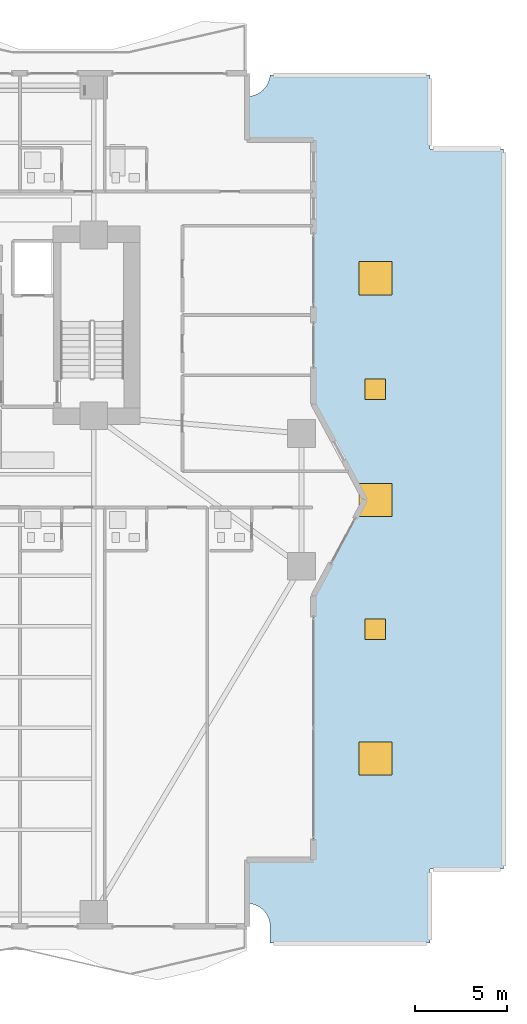
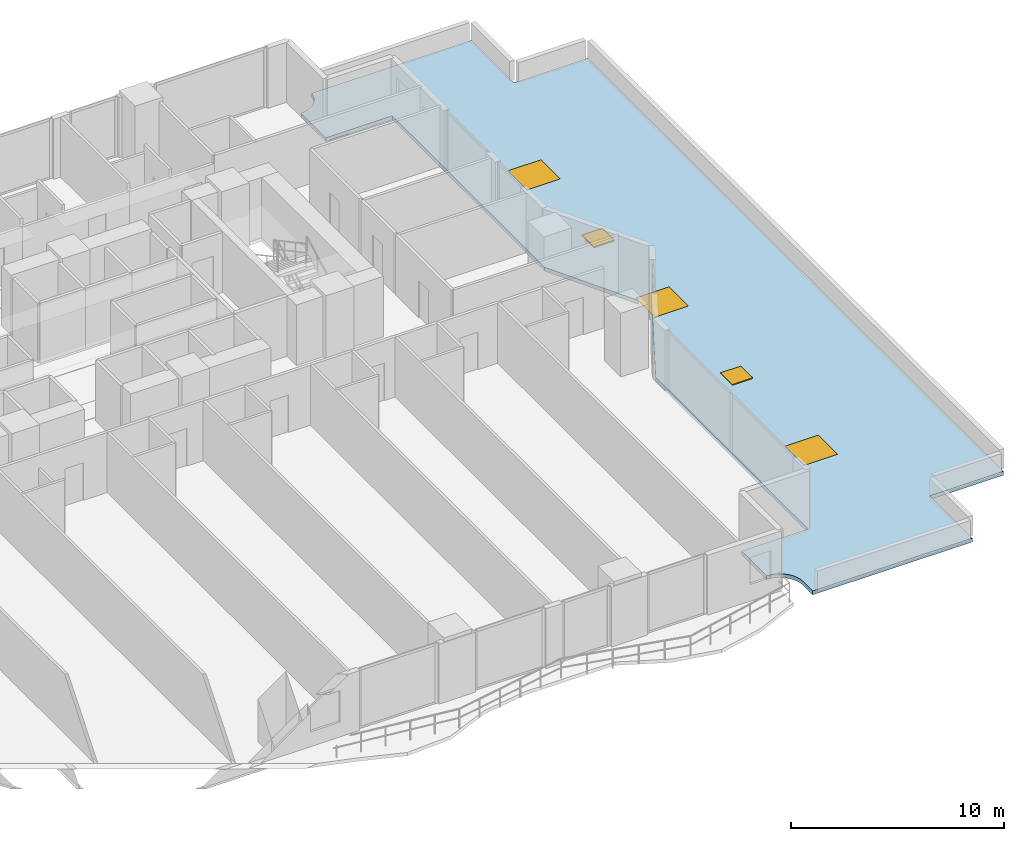
# One storey, part 18 of 30: 3 windows, 2 doors, 1 slab, 5 openings.
"""IFC4 building model written with IfcOpenShell, lengths in metres."""

from ifc_helpers import new_model, si_unit, direction, frame, origin, origin_2d, place, context, subcontext, project, spatial, polyline, rectangle, outline, extrude, material, layer, layer_set, type_object, element, fill, save


model = new_model("IFC4")

# Units and contexts
model_context = context("Model", 3, precision=1e-05, world=origin(), true_north=direction((0.0, 1.0)))
body_context = subcontext(model_context, "Body", "Model", "MODEL_VIEW")
ifc_project = project(units=[si_unit("LENGTHUNIT", "METRE"), si_unit("AREAUNIT", "SQUARE_METRE"), si_unit("VOLUMEUNIT", "CUBIC_METRE"), si_unit("PLANEANGLEUNIT", "RADIAN"), si_unit("MASSUNIT", "GRAM", prefix="KILO")], contexts=[model_context])

# Site, building, storey
site_placement = place(None, origin())
site = spatial("IfcSite", under=ifc_project, at=site_placement, CompositionType="ELEMENT")
building_placement = place(site_placement, origin())
building = spatial("IfcBuilding", under=site, at=building_placement, Name="Zuhayl Quay Hotel", CompositionType="ELEMENT")
storey_placement = place(building_placement, frame((0.0, 0.0, 27.60009765625)))
storey = spatial("IfcBuildingStorey", under=building, at=storey_placement, Name="L05", CompositionType="ELEMENT", Elevation=27.60009765625)

# Slab, openings, doors, windows
ifc_material_1 = material(Name="Concrete C45/55", Category="concrete")
ifc_layer = layer(ifc_material_1, 0.219970703125, Name="Concrete C45/55", Category="concrete")
ifc_layer_set = layer_set([ifc_layer], Name="Concrete C45/55")
slab_type = type_object("IfcSlabType", Name="SL_SETBACK_ROOF_220", PredefinedType="ROOF", material=ifc_layer_set)
slab_placement = place(storey_placement, frame((0.0, 0.0, -0.22021484375)))
slab = element("IfcSlab", 1, at=slab_placement, inside=storey, type_object=slab_type, Name="L05 Setback Wing Roof Slab 2", PredefinedType="ROOF", context=body_context, shape_type="SweptSolid", body=[
    extrude(outline(polyline([(32.0, -20.0), (36.0, -20.0), (36.0, 19.0), (32.0, 19.0), (32.0, 23.0), (23.34521484375, 23.0), (23.343994140625, 22.9775390625), (23.325927734375, 22.856201171875), (23.296142578125, 22.737060546875), (23.2548828125, 22.62158203125), (23.202392578125, 22.5107421875), (23.139404296875, 22.405517578125), (23.06640625, 22.306884765625), (22.98388671875, 22.216064453125), (22.89306640625, 22.1337890625), (22.79443359375, 22.060791015625), (22.689208984375, 21.99755859375), (22.578369140625, 21.9453125), (22.462890625, 21.90380859375), (22.343994140625, 21.8740234375), (22.222412109375, 21.85595703125), (22.10009765625, 21.85009765625), (22.10009765625, 19.5), (25.699951171875, 19.5), (25.699951171875, 5.199951171875), (28.5, 0.0), (25.699951171875, -5.199951171875), (25.699951171875, -19.5), (22.10009765625, -19.5), (22.10009765625, -21.85009765625), (22.222412109375, -21.85595703125), (22.343994140625, -21.8740234375), (22.462890625, -21.90380859375), (22.578369140625, -21.9453125), (22.689208984375, -21.99755859375), (22.79443359375, -22.060791015625), (22.89306640625, -22.1337890625), (22.98388671875, -22.216064453125), (23.06640625, -22.306884765625), (23.139404296875, -22.405517578125), (23.202392578125, -22.5107421875), (23.2548828125, -22.62158203125), (23.296142578125, -22.737060546875), (23.325927734375, -22.856201171875), (23.343994140625, -22.9775390625), (23.35009765625, -23.10009765625), (23.35009765625, -24.0), (32.0, -24.0), (32.0, -20.0)])), origin(), (0.0, 0.0, 1.0), 0.22021484375),
])
opening_1_placement = place(slab_placement, frame((29.050048828125, -14.0, 0.0)))
opening_1 = element("IfcOpeningElement", 2, at=opening_1_placement, cuts=slab, Name="Opening SK01", PredefinedType="OPENING", context=body_context, shape_type="SweptSolid", body=[
    extrude(rectangle(XDim=1.800048828125, YDim=1.800048828125, at=origin_2d()), frame((0.0, 0.0, -0.010009765625)), (0.0, 0.0, 1.0), 0.240234375),
])
opening_2_placement = place(slab_placement, frame((29.050048828125, 0.0, 0.0)))
opening_2 = element("IfcOpeningElement", 3, at=opening_2_placement, cuts=slab, Name="Opening SK01", PredefinedType="OPENING", context=body_context, shape_type="SweptSolid", body=[
    extrude(rectangle(XDim=1.800048828125, YDim=1.800048828125, at=origin_2d()), frame((0.0, 0.0, -0.010009765625)), (0.0, 0.0, 1.0), 0.240234375),
])
opening_3_placement = place(slab_placement, frame((29.050048828125, 12.0, 0.0)))
opening_3 = element("IfcOpeningElement", 4, at=opening_3_placement, cuts=slab, Name="Opening SK01", PredefinedType="OPENING", context=body_context, shape_type="SweptSolid", body=[
    extrude(rectangle(XDim=1.800048828125, YDim=1.800048828125, at=origin_2d()), frame((0.0, 0.0, -0.010009765625)), (0.0, 0.0, 1.0), 0.240234375),
])
opening_4_placement = place(slab_placement, frame((29.050048828125, -7.0, 0.0)))
opening_4 = element("IfcOpeningElement", 5, at=opening_4_placement, cuts=slab, Name="Opening RH01", PredefinedType="OPENING", context=body_context, shape_type="SweptSolid", body=[
    extrude(rectangle(XDim=1.10009765625, YDim=1.10009765625, at=origin_2d()), frame((0.0, 0.0, -0.010009765625)), (0.0, 0.0, 1.0), 0.290283203125),
])
opening_5_placement = place(slab_placement, frame((29.050048828125, 6.0, 0.0)))
opening_5 = element("IfcOpeningElement", 6, at=opening_5_placement, cuts=slab, Name="Opening RH01", PredefinedType="OPENING", context=body_context, shape_type="SweptSolid", body=[
    extrude(rectangle(XDim=1.10009765625, YDim=1.10009765625, at=origin_2d()), frame((0.0, 0.0, -0.010009765625)), (0.0, 0.0, 1.0), 0.290283203125),
])
ifc_material_2 = material(Name="Steel ASTM A992 Grade 50", Category="steel")
door_type = type_object("IfcDoorType", Name="DR_ROOF_HATCH_1100", OperationType="SINGLE_SWING_LEFT", PredefinedType="TRAPDOOR", material=ifc_material_2)
door_1_placement = place(opening_4_placement, frame((0.0, 0.0, 0.22021484375)))
door_1 = element("IfcDoor", 7, at=door_1_placement, inside=storey, type_object=door_type, Name="Podium Roof Maintenance Hatch RH01-03", OperationType="SINGLE_SWING_LEFT", OverallHeight=1.10009765625, OverallWidth=1.10009765625, PredefinedType="TRAPDOOR", context=body_context, shape_type="SweptSolid", body=[
    extrude(rectangle(XDim=1.10009765625, YDim=1.10009765625, at=origin_2d()), origin(), (0.0, 0.0, 1.0), 0.050048828125),
])
fill(opening_4, door_1)
door_2_placement = place(opening_5_placement, frame((0.0, 0.0, 0.22021484375)))
door_2 = element("IfcDoor", 8, at=door_2_placement, inside=storey, type_object=door_type, Name="Podium Roof Maintenance Hatch RH01-04", OperationType="SINGLE_SWING_LEFT", OverallHeight=1.10009765625, OverallWidth=1.10009765625, PredefinedType="TRAPDOOR", context=body_context, shape_type="SweptSolid", body=[
    extrude(rectangle(XDim=1.10009765625, YDim=1.10009765625, at=origin_2d()), origin(), (0.0, 0.0, 1.0), 0.050048828125),
])
fill(opening_5, door_2)
ifc_material_3 = material(Name="Low-E Insulated Skylight Glass", Category="glass")
window_type = type_object("IfcWindowType", Name="WN_SKYLIGHT_1800", PartitioningType="SINGLE_PANEL", PredefinedType="SKYLIGHT", material=ifc_material_3)
window_1_placement = place(opening_1_placement, frame((0.0, 0.0, 0.170166015625)))
window_1 = element("IfcWindow", 9, at=window_1_placement, inside=storey, type_object=window_type, Name="Podium Wing Daylight Skylight SK01-04", OverallHeight=1.800048828125, OverallWidth=1.800048828125, PartitioningType="SINGLE_PANEL", PredefinedType="SKYLIGHT", context=body_context, shape_type="SweptSolid", body=[
    extrude(rectangle(XDim=1.800048828125, YDim=1.800048828125, at=origin_2d()), origin(), (0.0, 0.0, 1.0), 0.050048828125),
])
fill(opening_1, window_1)
window_2_placement = place(opening_2_placement, frame((0.0, 0.0, 0.170166015625)))
window_2 = element("IfcWindow", 10, at=window_2_placement, inside=storey, type_object=window_type, Name="Podium Wing Daylight Skylight SK01-05", OverallHeight=1.800048828125, OverallWidth=1.800048828125, PartitioningType="SINGLE_PANEL", PredefinedType="SKYLIGHT", context=body_context, shape_type="SweptSolid", body=[
    extrude(rectangle(XDim=1.800048828125, YDim=1.800048828125, at=origin_2d()), origin(), (0.0, 0.0, 1.0), 0.050048828125),
])
fill(opening_2, window_2)
window_3_placement = place(opening_3_placement, frame((0.0, 0.0, 0.170166015625)))
window_3 = element("IfcWindow", 11, at=window_3_placement, inside=storey, type_object=window_type, Name="Podium Wing Daylight Skylight SK01-06", OverallHeight=1.800048828125, OverallWidth=1.800048828125, PartitioningType="SINGLE_PANEL", PredefinedType="SKYLIGHT", context=body_context, shape_type="SweptSolid", body=[
    extrude(rectangle(XDim=1.800048828125, YDim=1.800048828125, at=origin_2d()), origin(), (0.0, 0.0, 1.0), 0.050048828125),
])
fill(opening_3, window_3)

save(model, "model.ifc")
